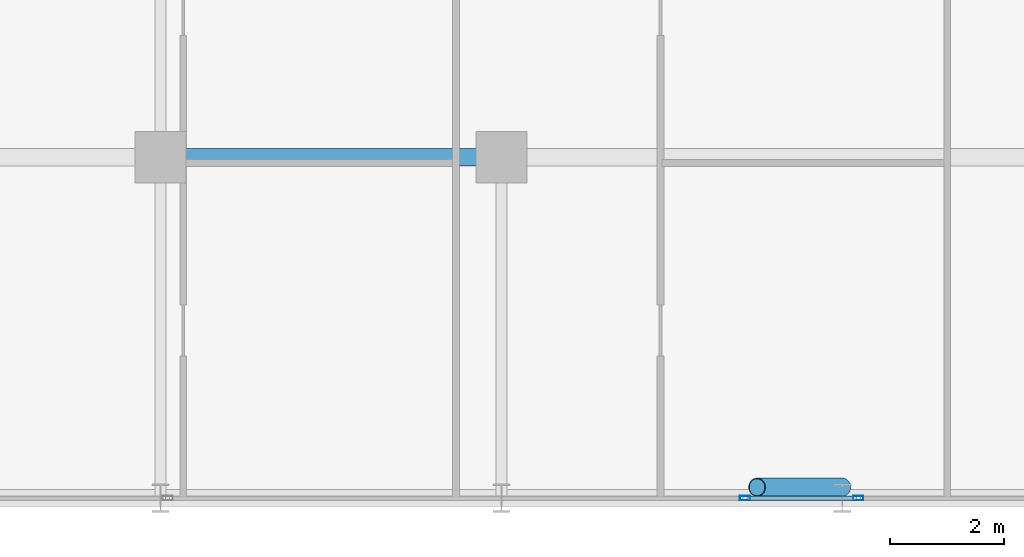
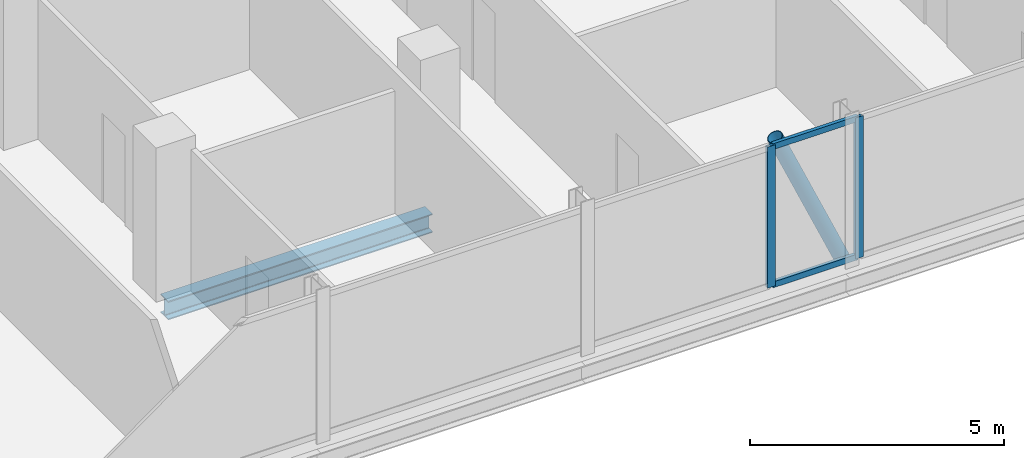
# One storey, part 9 of 31: 5 members, 1 beam, 2 elements without a shape of their own.
"""IFC4 building model written with IfcOpenShell, lengths in metres."""

from ifc_helpers import new_model, si_unit, direction, frame, origin, origin_2d, place, context, subcontext, project, spatial, hollow_rectangle, hollow_circle, i_section, extrude, material, layer, layer_set, material_profile, profile_set, type_object, element, aggregate, save


model = new_model("IFC4")

# Units and contexts
model_context = context("Model", 3, precision=1e-05, world=origin(), true_north=direction((0.0, 1.0)))
body_context = subcontext(model_context, "Body", "Model", "MODEL_VIEW")
ifc_project = project(units=[si_unit("LENGTHUNIT", "METRE"), si_unit("AREAUNIT", "SQUARE_METRE"), si_unit("VOLUMEUNIT", "CUBIC_METRE"), si_unit("PLANEANGLEUNIT", "RADIAN"), si_unit("MASSUNIT", "GRAM", prefix="KILO")], contexts=[model_context])

# Site, building, storey
site_placement = place(None, origin())
site = spatial("IfcSite", under=ifc_project, at=site_placement, CompositionType="ELEMENT")
building_placement = place(site_placement, origin())
building = spatial("IfcBuilding", under=site, at=building_placement, Name="Keshet Zoharim Tower", CompositionType="ELEMENT")
storey_placement = place(building_placement, frame((0.0, 0.0, 144.60009765625)))
storey = spatial("IfcBuildingStorey", under=building, at=storey_placement, Name="L35", CompositionType="ELEMENT", Elevation=144.60009765625)

# Beam
ifc_material_1 = material(Name="Steel S355", Category="steel")
ifc_material_profile_1 = material_profile(ifc_material_1, i_section(OverallWidth=0.300048828125, OverallDepth=0.449951171875, WebThickness=0.013916015625, FlangeThickness=0.02587890625, FilletRadius=0.027099609375, at=origin_2d()), Name="HEB450")
ifc_profile_set_1 = profile_set([ifc_material_profile_1], Name="Steel S355")
beam_type = type_object("IfcBeamType", Name="BM-WEB-HB450", PredefinedType="BEAM", material=ifc_profile_set_1)
beam_placement = place(storey_placement, frame((33.0, 6.699951171875, -0.5400390625), z_axis=(1.0, 0.0, 0.0), x_axis=(0.0, 1.0, 0.0)))
element("IfcBeam", 1, at=beam_placement, inside=storey, type_object=beam_type, Name="L35 Primary Girder X-007", PredefinedType="BEAM", context=body_context, shape_type="SweptSolid", body=[
    extrude(i_section(OverallWidth=0.300048828125, OverallDepth=0.449951171875, WebThickness=0.013916015625, FlangeThickness=0.02587890625, FilletRadius=0.027099609375, at=origin_2d()), origin(), (0.0, 0.0, 1.0), 6.0),
])

# Curtain wall, member
ifc_material_2 = material(Name="Aluminium 6063-T6", Category="aluminium")
ifc_layer = layer(ifc_material_2, 0.159912109375)
ifc_layer_set = layer_set([ifc_layer], Name="Aluminium 6063-T6")
curtain_wall_type = type_object("IfcCurtainWallType", Name="CW-SYS-03", PredefinedType="NOTDEFINED", material=ifc_layer_set)
curtain_wall_1_placement = place(storey_placement, origin())
curtain_wall_1 = element("IfcCurtainWall", 2, at=curtain_wall_1_placement, inside=storey, type_object=curtain_wall_type, Name="L35 Unitised Curtain Wall 03", PredefinedType="NOTDEFINED")
ifc_material_profile_2 = material_profile(ifc_material_2, hollow_rectangle(XDim=0.080078125, YDim=0.179931640625, WallThickness=0.00439453125, at=origin_2d()), Name="MUL-80x180")
ifc_profile_set_2 = profile_set([ifc_material_profile_2], Name="Aluminium 6063-T6")
member_type_1 = type_object("IfcMemberType", Name="CWM-M18", PredefinedType="MULLION", material=ifc_profile_set_2)
member_1_placement = place(storey_placement, frame((45.283203125, 0.699951171875, 0.0), z_axis=(0.0, 0.0, 1.0), x_axis=(0.0, -1.0, 0.0)))
member_1 = element("IfcMember", 3, at=member_1_placement, type_object=member_type_1, Name="CW-03 mullion 2", PredefinedType="MULLION", context=body_context, shape_type="SweptSolid", body=[
    extrude(hollow_rectangle(XDim=0.080078125, YDim=0.179931640625, WallThickness=0.00439453125, at=origin_2d()), origin(), (0.0, 0.0, 1.0), 3.385009765625),
])
aggregate(curtain_wall_1, [member_1])

# Curtain wall, members
curtain_wall_2_placement = place(storey_placement, origin())
curtain_wall_2 = element("IfcCurtainWall", 4, at=curtain_wall_2_placement, inside=storey, type_object=curtain_wall_type, Name="L35 Unitised Curtain Wall 03 Part 2", PredefinedType="NOTDEFINED")
member_2_placement = place(storey_placement, frame((43.286865234375, 0.699951171875, 0.0), z_axis=(0.0, 0.0, 1.0), x_axis=(0.0, -1.0, 0.0)))
member_2 = element("IfcMember", 5, at=member_2_placement, type_object=member_type_1, Name="CW-03 mullion 2", PredefinedType="MULLION", context=body_context, shape_type="SweptSolid", body=[
    extrude(hollow_rectangle(XDim=0.080078125, YDim=0.179931640625, WallThickness=0.00439453125, at=origin_2d()), origin(), (0.0, 0.0, 1.0), 3.385009765625),
])
ifc_material_profile_3 = material_profile(ifc_material_2, hollow_rectangle(XDim=0.080078125, YDim=0.139892578125, WallThickness=0.00390625, at=origin_2d()), Name="TRN-80x140")
ifc_profile_set_3 = profile_set([ifc_material_profile_3], Name="Aluminium 6063-T6")
member_type_2 = type_object("IfcMemberType", Name="CWT-T14", PredefinedType="USERDEFINED", material=ifc_profile_set_3)
member_3_placement = place(storey_placement, frame((45.248046875, 0.699951171875, 0.034912109375), z_axis=(-1.0, 0.0, 0.0), x_axis=(0.0, -1.0, 0.0)))
member_3 = element("IfcMember", 6, at=member_3_placement, type_object=member_type_2, Name="CW-03 transom 1.1", ObjectType="TRANSOM", PredefinedType="USERDEFINED", context=body_context, shape_type="SweptSolid", body=[
    extrude(hollow_rectangle(XDim=0.080078125, YDim=0.139892578125, WallThickness=0.00390625, at=origin_2d()), origin(), (0.0, 0.0, 1.0), 1.926025390625),
])
member_4_placement = place(storey_placement, frame((45.248046875, 0.699951171875, 3.349853515625), z_axis=(-1.0, 0.0, 0.0), x_axis=(0.0, -1.0, 0.0)))
member_4 = element("IfcMember", 7, at=member_4_placement, type_object=member_type_2, Name="CW-03 transom 1.2", ObjectType="TRANSOM", PredefinedType="USERDEFINED", context=body_context, shape_type="SweptSolid", body=[
    extrude(hollow_rectangle(XDim=0.080078125, YDim=0.139892578125, WallThickness=0.00390625, at=origin_2d()), origin(), (0.0, 0.0, 1.0), 1.926025390625),
])
aggregate(curtain_wall_2, [member_2, member_3, member_4])

# Member
ifc_material_profile_4 = material_profile(ifc_material_1, hollow_circle(Radius=0.161865234375, WallThickness=0.012451171875, at=origin_2d()), Name="CHS323x12.5")
ifc_profile_set_4 = profile_set([ifc_material_profile_4], Name="Steel S355")
member_type_3 = type_object("IfcMemberType", Name="MB-BR-C323", PredefinedType="BRACE", material=ifc_profile_set_4)
member_5_placement = place(storey_placement, frame((45.0, 0.889892578125, 0.0), z_axis=(-0.405134846829, 0.0, 0.91425694194), x_axis=(0.0, -1.0, 0.0)))
element("IfcMember", 8, at=member_5_placement, inside=storey, type_object=member_type_3, Name="L35 Perimeter Tube Brace 03", PredefinedType="BRACE", context=body_context, shape_type="SweptSolid", body=[
    extrude(hollow_circle(Radius=0.161865234375, WallThickness=0.012451171875, at=origin_2d()), origin(), (0.0, 0.0, 1.0), 3.702392578125),
])

save(model, "model.ifc")
